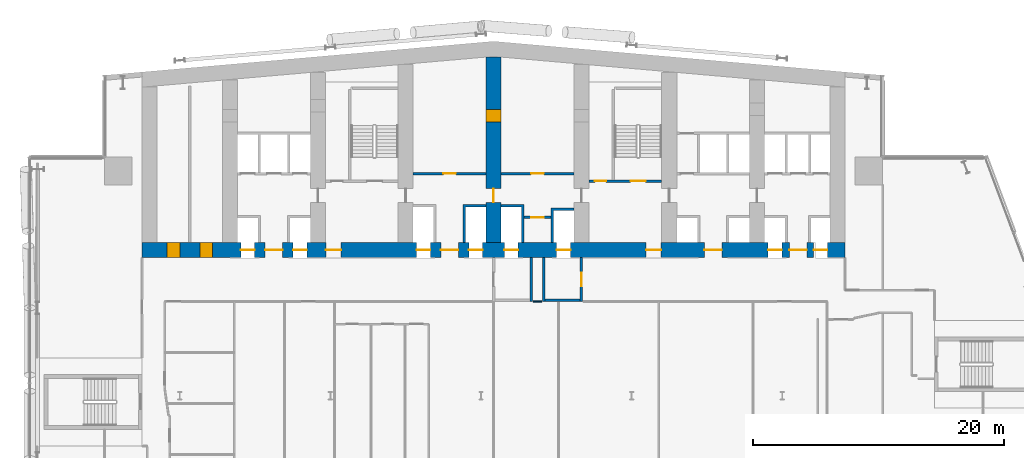
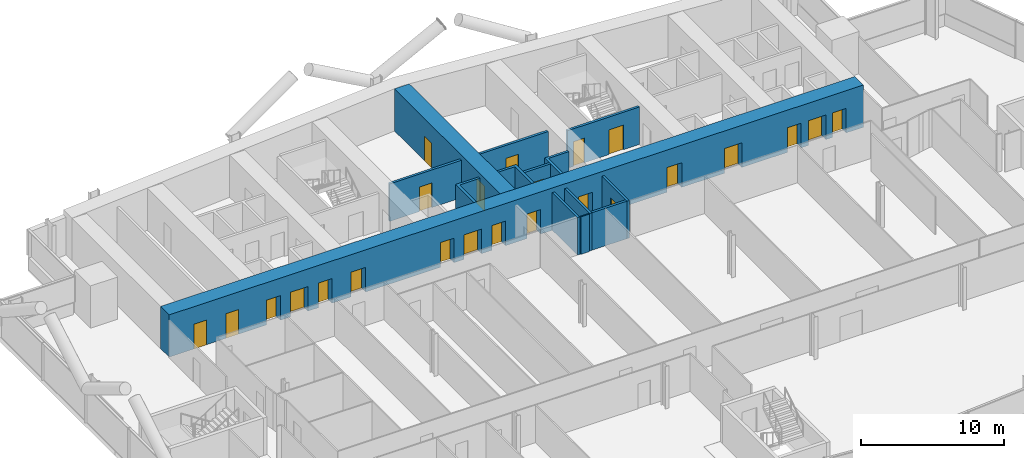
# One storey, part 17 of 27: 24 doors, 14 walls, 24 openings.
"""IFC4 building model written with IfcOpenShell, lengths in metres."""

from ifc_helpers import new_model, si_unit, direction, frame, frame_2d, origin, place, context, subcontext, project, spatial, polyline, rectangle, outline, extrude, material, layer, layer_set, type_object, element, fill, save


model = new_model("IFC4")

# Units and contexts
model_context = context("Model", 3, precision=1e-05, world=origin(), true_north=direction((0.0, 1.0)))
body_context = subcontext(model_context, "Body", "Model", "MODEL_VIEW")
ifc_project = project(units=[si_unit("LENGTHUNIT", "METRE"), si_unit("AREAUNIT", "SQUARE_METRE"), si_unit("VOLUMEUNIT", "CUBIC_METRE"), si_unit("PLANEANGLEUNIT", "RADIAN"), si_unit("MASSUNIT", "GRAM", prefix="KILO")], contexts=[model_context])

# Site, building, storey
site_placement = place(None, origin())
site = spatial("IfcSite", under=ifc_project, at=site_placement, CompositionType="ELEMENT")
building_placement = place(site_placement, origin())
building = spatial("IfcBuilding", under=site, at=building_placement, Name="Wharfspan Tower", CompositionType="ELEMENT")
storey_placement = place(building_placement, frame((0.0, 0.0, 45.100098)))
storey = spatial("IfcBuildingStorey", under=building, at=storey_placement, Name="L07", CompositionType="ELEMENT", Elevation=45.100098)

# Wall
ifc_material_1 = material(Name="Gypsum board on steel studs", Category="steel")
ifc_layer_1 = layer(ifc_material_1, 0.100098)
ifc_layer_set_1 = layer_set([ifc_layer_1], Name="Gypsum board on steel studs")
wall_type_1 = type_object("IfcWallType", Name="Compartment wall 100 EI 60", PredefinedType="PARTITIONING", material=ifc_layer_set_1)
wall_1_placement = place(storey_placement, frame((40.149902, 30.5, 0.0), z_axis=(0.0, 0.0, 1.0), x_axis=(1.0, 0.0, 0.0)))
element("IfcWall", 1, at=wall_1_placement, inside=storey, type_object=wall_type_1, Name="Partition L07.w014 (2)", PredefinedType="PARTITIONING", context=body_context, shape_type="SweptSolid", body=[
    extrude(rectangle(XDim=0.700195, YDim=0.100098, at=frame_2d((0.350098, 0.0))), origin(), (0.0, 0.0, 1.0), 3.199951),
])

# Wall, opening, door
ifc_material_2 = material(Name="Calcium silicate masonry", Category="masonry")
ifc_layer_2 = layer(ifc_material_2, 0.199951)
ifc_layer_set_2 = layer_set([ifc_layer_2], Name="Calcium silicate masonry")
wall_type_2 = type_object("IfcWallType", Name="Core room wall 200", PredefinedType="PARTITIONING", material=ifc_layer_set_2)
wall_2_placement = place(storey_placement, frame((39.43335, 37.199951, 0.0), z_axis=(0.0, 0.0, 1.0), x_axis=(1.0, 0.0, 0.0)))
wall_2 = element("IfcWall", 2, at=wall_2_placement, inside=storey, type_object=wall_type_2, Name="sw:L07:FR4.2", PredefinedType="PARTITIONING", context=body_context, shape_type="SweptSolid", body=[
    extrude(rectangle(XDim=2.133301, YDim=0.199951, at=frame_2d((1.06665, 0.0))), origin(), (0.0, 0.0, 1.0), 3.199951),
])
opening_1_placement = place(wall_2_placement, frame((0.56665, 0.0, 0.0)))
opening_1 = element("IfcOpeningElement", 3, at=opening_1_placement, cuts=wall_2, Name="Opening CD07.4H2", PredefinedType="OPENING", context=body_context, shape_type="SweptSolid", body=[
    extrude(rectangle(XDim=1.0, YDim=2.100098, at=frame_2d((0.5, 1.050049))), frame((0.0, 0.109863, 0.0), z_axis=(0.0, -1.0, 0.0), x_axis=(1.0, 0.0, 0.0)), (0.0, 0.0, 1.0), 0.219971),
])
ifc_material_3 = material(Name="Steel door leaf", Category="steel")
door_type_1 = type_object("IfcDoorType", Name="Core room door 1000x2100", OperationType="SINGLE_SWING_LEFT", PredefinedType="DOOR", material=ifc_material_3)
door_1_placement = place(opening_1_placement, origin())
door_1 = element("IfcDoor", 4, at=door_1_placement, inside=storey, type_object=door_type_1, Name="d:L07:4:fh4.2", OperationType="SINGLE_SWING_RIGHT", OverallHeight=2.100098, OverallWidth=1.0, PredefinedType="DOOR", context=body_context, shape_type="SweptSolid", body=[
    extrude(rectangle(XDim=1.0, YDim=2.100098, at=frame_2d((0.5, 1.050049))), frame((0.0, 0.024902, 0.0), z_axis=(0.0, -1.0, 0.0), x_axis=(1.0, 0.0, 0.0)), (0.0, 0.0, 1.0), 0.050049),
])
fill(opening_1, door_1)

# Wall, openings, doors
ifc_material_4 = material(Name="Concrete C70/85", Category="concrete")
ifc_layer_3 = layer(ifc_material_4, 1.199951)
ifc_layer_set_3 = layer_set([ifc_layer_3], Name="Concrete C70/85")
wall_type_3 = type_object("IfcWallType", Name="Core wall 1200 C70/85", PredefinedType="SHEAR", material=ifc_layer_set_3)
wall_3_placement = place(storey_placement, frame((9.0, 34.600098, 0.0), z_axis=(0.0, 0.0, 1.0), x_axis=(1.0, 0.0, 0.0)))
wall_3 = element("IfcWall", 5, at=wall_3_placement, inside=storey, type_object=wall_type_3, Name="Core front wall L07", PredefinedType="SHEAR", context=body_context, shape_type="SweptSolid", body=[
    extrude(rectangle(XDim=56.0, YDim=1.199951, at=frame_2d((28.0, 0.0))), origin(), (0.0, 0.0, 1.0), 3.599854),
])
opening_2_placement = place(wall_3_placement, frame((2.0, 0.0, 0.0)))
opening_2 = element("IfcOpeningElement", 6, at=opening_2_placement, cuts=wall_3, Name="Opening CD07.01", PredefinedType="OPENING", context=body_context, shape_type="SweptSolid", body=[
    extrude(rectangle(XDim=1.0, YDim=2.100098, at=frame_2d((0.5, 1.050049))), frame((0.0, 0.609863, 0.0), z_axis=(0.0, -1.0, 0.0), x_axis=(1.0, 0.0, 0.0)), (0.0, 0.0, 1.0), 1.219971),
])
opening_3_placement = place(wall_3_placement, frame((4.600098, 0.0, 0.0)))
opening_3 = element("IfcOpeningElement", 7, at=opening_3_placement, cuts=wall_3, Name="Opening CD07.02", PredefinedType="OPENING", context=body_context, shape_type="SweptSolid", body=[
    extrude(rectangle(XDim=1.0, YDim=2.100098, at=frame_2d((0.5, 1.050049))), frame((0.0, 0.609863, 0.0), z_axis=(0.0, -1.0, 0.0), x_axis=(1.0, 0.0, 0.0)), (0.0, 0.0, 1.0), 1.219971),
])
opening_4_placement = place(wall_3_placement, frame((7.866699, 0.0, 0.0)))
opening_4 = element("IfcOpeningElement", 8, at=opening_4_placement, cuts=wall_3, Name="Opening LD.LA1.L07", PredefinedType="OPENING", context=body_context, shape_type="SweptSolid", body=[
    extrude(rectangle(XDim=1.100098, YDim=2.100098, at=frame_2d((0.550049, 1.050049))), frame((0.0, 0.609863, 0.0), z_axis=(0.0, -1.0, 0.0), x_axis=(1.0, 0.0, 0.0)), (0.0, 0.0, 1.0), 1.219971),
])
opening_5_placement = place(wall_3_placement, frame((12.033203, 0.0, 0.0)))
opening_5 = element("IfcOpeningElement", 9, at=opening_5_placement, cuts=wall_3, Name="Opening LD.LA2.L07", PredefinedType="OPENING", context=body_context, shape_type="SweptSolid", body=[
    extrude(rectangle(XDim=1.100098, YDim=2.100098, at=frame_2d((0.550049, 1.050049))), frame((0.0, 0.609863, 0.0), z_axis=(0.0, -1.0, 0.0), x_axis=(1.0, 0.0, 0.0)), (0.0, 0.0, 1.0), 1.219971),
])
opening_6_placement = place(wall_3_placement, frame((9.800049, 0.0, 0.0)))
opening_6 = element("IfcOpeningElement", 10, at=opening_6_placement, cuts=wall_3, Name="Opening HD07.1", PredefinedType="OPENING", context=body_context, shape_type="SweptSolid", body=[
    extrude(rectangle(XDim=1.399902, YDim=2.100098, at=frame_2d((0.699951, 1.050049))), frame((0.0, 0.609863, 0.0), z_axis=(0.0, -1.0, 0.0), x_axis=(1.0, 0.0, 0.0)), (0.0, 0.0, 1.0), 1.219971),
])
opening_7_placement = place(wall_3_placement, frame((14.649902, 0.0, 0.0)))
opening_7 = element("IfcOpeningElement", 11, at=opening_7_placement, cuts=wall_3, Name="Opening SV2.L07", PredefinedType="OPENING", context=body_context, shape_type="SweptSolid", body=[
    extrude(rectangle(XDim=1.199951, YDim=2.100098, at=frame_2d((0.600098, 1.050049))), frame((0.0, 0.609863, 0.0), z_axis=(0.0, -1.0, 0.0), x_axis=(1.0, 0.0, 0.0)), (0.0, 0.0, 1.0), 1.219971),
])
opening_8_placement = place(wall_3_placement, frame((21.866699, 0.0, 0.0)))
opening_8 = element("IfcOpeningElement", 12, at=opening_8_placement, cuts=wall_3, Name="Opening LD.SL1.L07", PredefinedType="OPENING", context=body_context, shape_type="SweptSolid", body=[
    extrude(rectangle(XDim=1.100098, YDim=2.100098, at=frame_2d((0.550049, 1.050049))), frame((0.0, 0.609863, 0.0), z_axis=(0.0, -1.0, 0.0), x_axis=(1.0, 0.0, 0.0)), (0.0, 0.0, 1.0), 1.219971),
])
opening_9_placement = place(wall_3_placement, frame((26.033203, 0.0, 0.0)))
opening_9 = element("IfcOpeningElement", 13, at=opening_9_placement, cuts=wall_3, Name="Opening LD.SL2.L07", PredefinedType="OPENING", context=body_context, shape_type="SweptSolid", body=[
    extrude(rectangle(XDim=1.100098, YDim=2.100098, at=frame_2d((0.550049, 1.050049))), frame((0.0, 0.609863, 0.0), z_axis=(0.0, -1.0, 0.0), x_axis=(1.0, 0.0, 0.0)), (0.0, 0.0, 1.0), 1.219971),
])
opening_10_placement = place(wall_3_placement, frame((23.800049, 0.0, 0.0)))
opening_10 = element("IfcOpeningElement", 14, at=opening_10_placement, cuts=wall_3, Name="Opening HD07.3", PredefinedType="OPENING", context=body_context, shape_type="SweptSolid", body=[
    extrude(rectangle(XDim=1.399902, YDim=2.100098, at=frame_2d((0.699951, 1.050049))), frame((0.0, 0.609863, 0.0), z_axis=(0.0, -1.0, 0.0), x_axis=(1.0, 0.0, 0.0)), (0.0, 0.0, 1.0), 1.219971),
])
opening_11_placement = place(wall_3_placement, frame((28.866699, 0.0, 0.0)))
opening_11 = element("IfcOpeningElement", 15, at=opening_11_placement, cuts=wall_3, Name="Opening LD.FF1.L07", PredefinedType="OPENING", context=body_context, shape_type="SweptSolid", body=[
    extrude(rectangle(XDim=1.100098, YDim=2.100098, at=frame_2d((0.550049, 1.050049))), frame((0.0, 0.609863, 0.0), z_axis=(0.0, -1.0, 0.0), x_axis=(1.0, 0.0, 0.0)), (0.0, 0.0, 1.0), 1.219971),
])
opening_12_placement = place(wall_3_placement, frame((33.033203, 0.0, 0.0)))
opening_12 = element("IfcOpeningElement", 16, at=opening_12_placement, cuts=wall_3, Name="Opening LD.FF2.L07", PredefinedType="OPENING", context=body_context, shape_type="SweptSolid", body=[
    extrude(rectangle(XDim=1.100098, YDim=2.100098, at=frame_2d((0.550049, 1.050049))), frame((0.0, 0.609863, 0.0), z_axis=(0.0, -1.0, 0.0), x_axis=(1.0, 0.0, 0.0)), (0.0, 0.0, 1.0), 1.219971),
])
opening_13_placement = place(wall_3_placement, frame((40.149902, 0.0, 0.0)))
opening_13 = element("IfcOpeningElement", 17, at=opening_13_placement, cuts=wall_3, Name="Opening SV5.L07", PredefinedType="OPENING", context=body_context, shape_type="SweptSolid", body=[
    extrude(rectangle(XDim=1.199951, YDim=2.100098, at=frame_2d((0.600098, 1.050049))), frame((0.0, 0.609863, 0.0), z_axis=(0.0, -1.0, 0.0), x_axis=(1.0, 0.0, 0.0)), (0.0, 0.0, 1.0), 1.219971),
])
opening_14_placement = place(wall_3_placement, frame((44.800049, 0.0, 0.0)))
opening_14 = element("IfcOpeningElement", 18, at=opening_14_placement, cuts=wall_3, Name="Opening HD07.6", PredefinedType="OPENING", context=body_context, shape_type="SweptSolid", body=[
    extrude(rectangle(XDim=1.399902, YDim=2.100098, at=frame_2d((0.699951, 1.050049))), frame((0.0, 0.609863, 0.0), z_axis=(0.0, -1.0, 0.0), x_axis=(1.0, 0.0, 0.0)), (0.0, 0.0, 1.0), 1.219971),
])
opening_15_placement = place(wall_3_placement, frame((49.866699, 0.0, 0.0)))
opening_15 = element("IfcOpeningElement", 19, at=opening_15_placement, cuts=wall_3, Name="Opening LD.LA6.L07", PredefinedType="OPENING", context=body_context, shape_type="SweptSolid", body=[
    extrude(rectangle(XDim=1.100098, YDim=2.100098, at=frame_2d((0.550049, 1.050049))), frame((0.0, 0.609863, 0.0), z_axis=(0.0, -1.0, 0.0), x_axis=(1.0, 0.0, 0.0)), (0.0, 0.0, 1.0), 1.219971),
])
opening_16_placement = place(wall_3_placement, frame((53.5, 0.0, 0.0)))
opening_16 = element("IfcOpeningElement", 20, at=opening_16_placement, cuts=wall_3, Name="Opening LD.LA7.L07", PredefinedType="OPENING", context=body_context, shape_type="SweptSolid", body=[
    extrude(rectangle(XDim=1.100098, YDim=2.100098, at=frame_2d((0.550049, 1.050049))), frame((0.0, 0.609863, 0.0), z_axis=(0.0, -1.0, 0.0), x_axis=(1.0, 0.0, 0.0)), (0.0, 0.0, 1.0), 1.219971),
])
opening_17_placement = place(wall_3_placement, frame((51.56665, 0.0, 0.0)))
opening_17 = element("IfcOpeningElement", 21, at=opening_17_placement, cuts=wall_3, Name="Opening HD07.7", PredefinedType="OPENING", context=body_context, shape_type="SweptSolid", body=[
    extrude(rectangle(XDim=1.399902, YDim=2.100098, at=frame_2d((0.699951, 1.050049))), frame((0.0, 0.609863, 0.0), z_axis=(0.0, -1.0, 0.0), x_axis=(1.0, 0.0, 0.0)), (0.0, 0.0, 1.0), 1.219971),
])
door_2_placement = place(opening_2_placement, origin())
door_2 = element("IfcDoor", 22, at=door_2_placement, inside=storey, type_object=door_type_1, Name="d:L07:0:rf", OperationType="SINGLE_SWING_LEFT", OverallHeight=2.100098, OverallWidth=1.0, PredefinedType="DOOR", context=body_context, shape_type="SweptSolid", body=[
    extrude(rectangle(XDim=1.0, YDim=2.100098, at=frame_2d((0.5, 1.050049))), frame((0.0, 0.599609, 0.0), z_axis=(0.0, -1.0, 0.0), x_axis=(1.0, 0.0, 0.0)), (0.0, 0.0, 1.0), 1.199463),
])
fill(opening_2, door_2)
door_3_placement = place(opening_3_placement, origin())
door_3 = element("IfcDoor", 23, at=door_3_placement, inside=storey, type_object=door_type_1, Name="d:L07:0:rr", OperationType="SINGLE_SWING_RIGHT", OverallHeight=2.100098, OverallWidth=1.0, PredefinedType="DOOR", context=body_context, shape_type="SweptSolid", body=[
    extrude(rectangle(XDim=1.0, YDim=2.100098, at=frame_2d((0.5, 1.050049))), frame((0.0, 0.599609, 0.0), z_axis=(0.0, -1.0, 0.0), x_axis=(1.0, 0.0, 0.0)), (0.0, 0.0, 1.0), 1.199463),
])
fill(opening_3, door_3)
door_type_2 = type_object("IfcDoorType", Name="Hall entry door 1400x2100", OperationType="DOUBLE_DOOR_SINGLE_SWING", PredefinedType="DOOR", material=ifc_material_3)
door_4_placement = place(opening_6_placement, origin())
door_4 = element("IfcDoor", 24, at=door_4_placement, inside=storey, type_object=door_type_2, Name="d:L07:1:hd1", OperationType="DOUBLE_DOOR_SINGLE_SWING", OverallHeight=2.100098, OverallWidth=1.399902, PredefinedType="DOOR", context=body_context, shape_type="SweptSolid", body=[
    extrude(rectangle(XDim=1.399902, YDim=2.100098, at=frame_2d((0.699951, 1.050049))), frame((0.0, 0.024902, 0.0), z_axis=(0.0, -1.0, 0.0), x_axis=(1.0, 0.0, 0.0)), (0.0, 0.0, 1.0), 0.050049),
])
fill(opening_6, door_4)
door_5_placement = place(opening_10_placement, origin())
door_5 = element("IfcDoor", 25, at=door_5_placement, inside=storey, type_object=door_type_2, Name="d:L07:3:hd3", OperationType="DOUBLE_DOOR_SINGLE_SWING", OverallHeight=2.100098, OverallWidth=1.399902, PredefinedType="DOOR", context=body_context, shape_type="SweptSolid", body=[
    extrude(rectangle(XDim=1.399902, YDim=2.100098, at=frame_2d((0.699951, 1.050049))), frame((0.0, 0.024902, 0.0), z_axis=(0.0, -1.0, 0.0), x_axis=(1.0, 0.0, 0.0)), (0.0, 0.0, 1.0), 0.050049),
])
fill(opening_10, door_5)
door_6_placement = place(opening_14_placement, origin())
door_6 = element("IfcDoor", 26, at=door_6_placement, inside=storey, type_object=door_type_2, Name="d:L07:6:hd6", OperationType="DOUBLE_DOOR_SINGLE_SWING", OverallHeight=2.100098, OverallWidth=1.399902, PredefinedType="DOOR", context=body_context, shape_type="SweptSolid", body=[
    extrude(rectangle(XDim=1.399902, YDim=2.100098, at=frame_2d((0.699951, 1.050049))), frame((0.0, 0.024902, 0.0), z_axis=(0.0, -1.0, 0.0), x_axis=(1.0, 0.0, 0.0)), (0.0, 0.0, 1.0), 0.050049),
])
fill(opening_14, door_6)
door_7_placement = place(opening_17_placement, origin())
door_7 = element("IfcDoor", 27, at=door_7_placement, inside=storey, type_object=door_type_2, Name="d:L07:7:hd7", OperationType="DOUBLE_DOOR_SINGLE_SWING", OverallHeight=2.100098, OverallWidth=1.399902, PredefinedType="DOOR", context=body_context, shape_type="SweptSolid", body=[
    extrude(rectangle(XDim=1.399902, YDim=2.100098, at=frame_2d((0.699951, 1.050049))), frame((0.0, 0.024902, 0.0), z_axis=(0.0, -1.0, 0.0), x_axis=(1.0, 0.0, 0.0)), (0.0, 0.0, 1.0), 0.050049),
])
fill(opening_17, door_7)
ifc_material_5 = material(Name="Stainless steel", Category="steel")
door_type_3 = type_object("IfcDoorType", Name="Lift landing door 1100x2100", OperationType="DOUBLE_DOOR_SLIDING", PredefinedType="DOOR", material=ifc_material_5)
door_8_placement = place(opening_4_placement, origin())
door_8 = element("IfcDoor", 28, at=door_8_placement, inside=storey, type_object=door_type_3, Name="Landing door LA1 L07", OperationType="DOUBLE_DOOR_SLIDING", OverallHeight=2.100098, OverallWidth=1.100098, PredefinedType="DOOR", context=body_context, shape_type="SweptSolid", body=[
    extrude(rectangle(XDim=1.100098, YDim=2.100098, at=frame_2d((0.550049, 1.050049))), frame((0.0, 0.024902, 0.0), z_axis=(0.0, -1.0, 0.0), x_axis=(1.0, 0.0, 0.0)), (0.0, 0.0, 1.0), 0.050049),
])
fill(opening_4, door_8)
door_9_placement = place(opening_5_placement, origin())
door_9 = element("IfcDoor", 29, at=door_9_placement, inside=storey, type_object=door_type_3, Name="Landing door LA2 L07", OperationType="DOUBLE_DOOR_SLIDING", OverallHeight=2.100098, OverallWidth=1.100098, PredefinedType="DOOR", context=body_context, shape_type="SweptSolid", body=[
    extrude(rectangle(XDim=1.100098, YDim=2.100098, at=frame_2d((0.550049, 1.050049))), frame((0.0, 0.024902, 0.0), z_axis=(0.0, -1.0, 0.0), x_axis=(1.0, 0.0, 0.0)), (0.0, 0.0, 1.0), 0.050049),
])
fill(opening_5, door_9)
door_10_placement = place(opening_8_placement, origin())
door_10 = element("IfcDoor", 30, at=door_10_placement, inside=storey, type_object=door_type_3, Name="Landing door SL1 L07", OperationType="DOUBLE_DOOR_SLIDING", OverallHeight=2.100098, OverallWidth=1.100098, PredefinedType="DOOR", context=body_context, shape_type="SweptSolid", body=[
    extrude(rectangle(XDim=1.100098, YDim=2.100098, at=frame_2d((0.550049, 1.050049))), frame((0.0, 0.024902, 0.0), z_axis=(0.0, -1.0, 0.0), x_axis=(1.0, 0.0, 0.0)), (0.0, 0.0, 1.0), 0.050049),
])
fill(opening_8, door_10)
door_11_placement = place(opening_9_placement, origin())
door_11 = element("IfcDoor", 31, at=door_11_placement, inside=storey, type_object=door_type_3, Name="Landing door SL2 L07", OperationType="DOUBLE_DOOR_SLIDING", OverallHeight=2.100098, OverallWidth=1.100098, PredefinedType="DOOR", context=body_context, shape_type="SweptSolid", body=[
    extrude(rectangle(XDim=1.100098, YDim=2.100098, at=frame_2d((0.550049, 1.050049))), frame((0.0, 0.024902, 0.0), z_axis=(0.0, -1.0, 0.0), x_axis=(1.0, 0.0, 0.0)), (0.0, 0.0, 1.0), 0.050049),
])
fill(opening_9, door_11)
door_12_placement = place(opening_11_placement, origin())
door_12 = element("IfcDoor", 32, at=door_12_placement, inside=storey, type_object=door_type_3, Name="Landing door FF1 L07", OperationType="DOUBLE_DOOR_SLIDING", OverallHeight=2.100098, OverallWidth=1.100098, PredefinedType="DOOR", context=body_context, shape_type="SweptSolid", body=[
    extrude(rectangle(XDim=1.100098, YDim=2.100098, at=frame_2d((0.550049, 1.050049))), frame((0.0, 0.024902, 0.0), z_axis=(0.0, -1.0, 0.0), x_axis=(1.0, 0.0, 0.0)), (0.0, 0.0, 1.0), 0.050049),
])
fill(opening_11, door_12)
door_13_placement = place(opening_12_placement, origin())
door_13 = element("IfcDoor", 33, at=door_13_placement, inside=storey, type_object=door_type_3, Name="Landing door FF2 L07", OperationType="DOUBLE_DOOR_SLIDING", OverallHeight=2.100098, OverallWidth=1.100098, PredefinedType="DOOR", context=body_context, shape_type="SweptSolid", body=[
    extrude(rectangle(XDim=1.100098, YDim=2.100098, at=frame_2d((0.550049, 1.050049))), frame((0.0, 0.024902, 0.0), z_axis=(0.0, -1.0, 0.0), x_axis=(1.0, 0.0, 0.0)), (0.0, 0.0, 1.0), 0.050049),
])
fill(opening_12, door_13)
door_14_placement = place(opening_15_placement, origin())
door_14 = element("IfcDoor", 34, at=door_14_placement, inside=storey, type_object=door_type_3, Name="Landing door LA6 L07", OperationType="DOUBLE_DOOR_SLIDING", OverallHeight=2.100098, OverallWidth=1.100098, PredefinedType="DOOR", context=body_context, shape_type="SweptSolid", body=[
    extrude(rectangle(XDim=1.100098, YDim=2.100098, at=frame_2d((0.550049, 1.050049))), frame((0.0, 0.024902, 0.0), z_axis=(0.0, -1.0, 0.0), x_axis=(1.0, 0.0, 0.0)), (0.0, 0.0, 1.0), 0.050049),
])
fill(opening_15, door_14)
door_15_placement = place(opening_16_placement, origin())
door_15 = element("IfcDoor", 35, at=door_15_placement, inside=storey, type_object=door_type_3, Name="Landing door LA7 L07", OperationType="DOUBLE_DOOR_SLIDING", OverallHeight=2.100098, OverallWidth=1.100098, PredefinedType="DOOR", context=body_context, shape_type="SweptSolid", body=[
    extrude(rectangle(XDim=1.100098, YDim=2.100098, at=frame_2d((0.550049, 1.050049))), frame((0.0, 0.024902, 0.0), z_axis=(0.0, -1.0, 0.0), x_axis=(1.0, 0.0, 0.0)), (0.0, 0.0, 1.0), 0.050049),
])
fill(opening_16, door_15)
door_type_4 = type_object("IfcDoorType", Name="Stair door 1200x2100", OperationType="SINGLE_SWING_LEFT", PredefinedType="DOOR", material=ifc_material_3)
door_16_placement = place(opening_7_placement, origin())
door_16 = element("IfcDoor", 36, at=door_16_placement, inside=storey, type_object=door_type_4, Name="vd:L07:2", OperationType="SINGLE_SWING_LEFT", OverallHeight=2.100098, OverallWidth=1.199951, PredefinedType="DOOR", context=body_context, shape_type="SweptSolid", body=[
    extrude(rectangle(XDim=1.199951, YDim=2.100098, at=frame_2d((0.600098, 1.050049))), frame((0.0, 0.024902, 0.0), z_axis=(0.0, -1.0, 0.0), x_axis=(1.0, 0.0, 0.0)), (0.0, 0.0, 1.0), 0.050049),
])
fill(opening_7, door_16)
door_17_placement = place(opening_13_placement, origin())
door_17 = element("IfcDoor", 37, at=door_17_placement, inside=storey, type_object=door_type_4, Name="vd:L07:5", OperationType="SINGLE_SWING_LEFT", OverallHeight=2.100098, OverallWidth=1.199951, PredefinedType="DOOR", context=body_context, shape_type="SweptSolid", body=[
    extrude(rectangle(XDim=1.199951, YDim=2.100098, at=frame_2d((0.600098, 1.050049))), frame((0.0, 0.024902, 0.0), z_axis=(0.0, -1.0, 0.0), x_axis=(1.0, 0.0, 0.0)), (0.0, 0.0, 1.0), 0.050049),
])
fill(opening_13, door_17)

wall_4_placement = place(storey_placement, frame((37.0, 35.199951, 0.0), z_axis=(0.0, 0.0, 1.0), x_axis=(0.0, 1.0, 0.0)))
wall_4 = element("IfcWall", 38, at=wall_4_placement, inside=storey, type_object=wall_type_3, Name="Core cross wall X4 L07", PredefinedType="SHEAR", context=body_context, shape_type="SweptSolid", body=[
    extrude(rectangle(XDim=14.780029, YDim=1.199951, at=frame_2d((7.390137, 0.0))), origin(), (0.0, 0.0, 1.0), 3.599854),
])
opening_18_placement = place(wall_4_placement, frame((3.199951, 0.0, 0.0)))
opening_18 = element("IfcOpeningElement", 39, at=opening_18_placement, cuts=wall_4, Name="Opening CC07.4", PredefinedType="OPENING", context=body_context, shape_type="SweptSolid", body=[
    extrude(rectangle(XDim=1.100098, YDim=2.100098, at=frame_2d((0.550049, 1.050049))), frame((0.0, 0.609863, 0.0), z_axis=(0.0, -1.0, 0.0), x_axis=(1.0, 0.0, 0.0)), (0.0, 0.0, 1.0), 1.219971),
])
opening_19_placement = place(wall_4_placement, frame((9.600098, 0.0, 0.0)))
opening_19 = element("IfcOpeningElement", 40, at=opening_19_placement, cuts=wall_4, Name="Opening CR07.4", PredefinedType="OPENING", context=body_context, shape_type="SweptSolid", body=[
    extrude(rectangle(XDim=1.0, YDim=2.100098, at=frame_2d((0.5, 1.050049))), frame((0.0, 0.609863, 0.0), z_axis=(0.0, -1.0, 0.0), x_axis=(1.0, 0.0, 0.0)), (0.0, 0.0, 1.0), 1.219971),
])
door_type_5 = type_object("IfcDoorType", Name="Core corridor door 1100x2100", OperationType="SINGLE_SWING_LEFT", PredefinedType="DOOR", material=ifc_material_3)
door_18_placement = place(opening_18_placement, origin())
door_18 = element("IfcDoor", 41, at=door_18_placement, inside=storey, type_object=door_type_5, Name="xd:L07:4", OperationType="SINGLE_SWING_RIGHT", OverallHeight=2.100098, OverallWidth=1.100098, PredefinedType="DOOR", context=body_context, shape_type="SweptSolid", body=[
    extrude(rectangle(XDim=1.100098, YDim=2.100098, at=frame_2d((0.550049, 1.050049))), frame((0.0, 0.024902, 0.0), z_axis=(0.0, -1.0, 0.0), x_axis=(1.0, 0.0, 0.0)), (0.0, 0.0, 1.0), 0.050049),
])
fill(opening_18, door_18)
door_19_placement = place(opening_19_placement, origin())
door_19 = element("IfcDoor", 42, at=door_19_placement, inside=storey, type_object=door_type_1, Name="xr:L07:4", OperationType="SINGLE_SWING_RIGHT", OverallHeight=2.100098, OverallWidth=1.0, PredefinedType="DOOR", context=body_context, shape_type="SweptSolid", body=[
    extrude(rectangle(XDim=1.0, YDim=2.100098, at=frame_2d((0.5, 1.050049))), frame((0.0, 0.599609, 0.0), z_axis=(0.0, -1.0, 0.0), x_axis=(1.0, 0.0, 0.0)), (0.0, 0.0, 1.0), 1.199463),
])
fill(opening_19, door_19)

# Wall, opening, door
ifc_material_6 = material(Name="Concrete C30/37", Category="concrete")
ifc_layer_4 = layer(ifc_material_6, 0.199951)
ifc_layer_set_4 = layer_set([ifc_layer_4], Name="Concrete C30/37")
wall_type_4 = type_object("IfcWallType", Name="Lift shaft wall 200", PredefinedType="PARTITIONING", material=ifc_layer_set_4)
wall_5_placement = place(storey_placement, frame((30.600098, 40.699951, 0.0), z_axis=(0.0, 0.0, 1.0), x_axis=(1.0, 0.0, 0.0)))
wall_5 = element("IfcWall", 43, at=wall_5_placement, inside=storey, type_object=wall_type_4, Name="sw:L07:RF3", PredefinedType="PARTITIONING", context=body_context, shape_type="SweptSolid", body=[
    extrude(rectangle(XDim=5.799805, YDim=0.199951, at=frame_2d((2.899902, 0.0))), origin(), (0.0, 0.0, 1.0), 3.199951),
])
opening_20_placement = place(wall_5_placement, frame((2.399902, 0.0, 0.0)))
opening_20 = element("IfcOpeningElement", 44, at=opening_20_placement, cuts=wall_5, Name="Opening CD07.3S", PredefinedType="OPENING", context=body_context, shape_type="SweptSolid", body=[
    extrude(rectangle(XDim=1.0, YDim=2.100098, at=frame_2d((0.5, 1.050049))), frame((0.0, 0.109863, 0.0), z_axis=(0.0, -1.0, 0.0), x_axis=(1.0, 0.0, 0.0)), (0.0, 0.0, 1.0), 0.219971),
])
door_20_placement = place(opening_20_placement, origin())
door_20 = element("IfcDoor", 45, at=door_20_placement, inside=storey, type_object=door_type_1, Name="d:L07:3:sf", OperationType="SINGLE_SWING_LEFT", OverallHeight=2.100098, OverallWidth=1.0, PredefinedType="DOOR", context=body_context, shape_type="SweptSolid", body=[
    extrude(rectangle(XDim=1.0, YDim=2.100098, at=frame_2d((0.5, 1.050049))), frame((0.0, 0.024902, 0.0), z_axis=(0.0, -1.0, 0.0), x_axis=(1.0, 0.0, 0.0)), (0.0, 0.0, 1.0), 0.050049),
])
fill(opening_20, door_20)

# Wall
wall_6_placement = place(storey_placement, frame((0.0, 0.0, -0.000244)))
element("IfcWall", 46, at=wall_6_placement, inside=storey, type_object=wall_type_4, Name="sw:L07:FM3.1", PredefinedType="PARTITIONING", context=body_context, shape_type="SweptSolid", body=[
    extrude(outline(polyline([(34.56665, 38.25), (34.766602, 38.25), (36.399902, 38.25), (36.399902, 38.050049), (34.766602, 38.050049), (34.766602, 35.199951), (34.56665, 35.199951), (34.56665, 38.25)])), origin(), (0.0, 0.0, 1.0), 3.200195),
])

# Wall, opening, door
wall_7_placement = place(storey_placement, frame((37.600098, 40.699951, 0.0), z_axis=(0.0, 0.0, 1.0), x_axis=(1.0, 0.0, 0.0)))
wall_7 = element("IfcWall", 47, at=wall_7_placement, inside=storey, type_object=wall_type_4, Name="sw:L07:RF4", PredefinedType="PARTITIONING", context=body_context, shape_type="SweptSolid", body=[
    extrude(rectangle(XDim=5.799805, YDim=0.199951, at=frame_2d((2.899902, 0.0))), origin(), (0.0, 0.0, 1.0), 3.199951),
])
opening_21_placement = place(wall_7_placement, frame((2.399902, 0.0, 0.0)))
opening_21 = element("IfcOpeningElement", 48, at=opening_21_placement, cuts=wall_7, Name="Opening CD07.4S", PredefinedType="OPENING", context=body_context, shape_type="SweptSolid", body=[
    extrude(rectangle(XDim=1.0, YDim=2.100098, at=frame_2d((0.5, 1.050049))), frame((0.0, 0.109863, 0.0), z_axis=(0.0, -1.0, 0.0), x_axis=(1.0, 0.0, 0.0)), (0.0, 0.0, 1.0), 0.219971),
])
door_21_placement = place(opening_21_placement, origin())
door_21 = element("IfcDoor", 49, at=door_21_placement, inside=storey, type_object=door_type_1, Name="d:L07:4:sf", OperationType="SINGLE_SWING_LEFT", OverallHeight=2.100098, OverallWidth=1.0, PredefinedType="DOOR", context=body_context, shape_type="SweptSolid", body=[
    extrude(rectangle(XDim=1.0, YDim=2.100098, at=frame_2d((0.5, 1.050049))), frame((0.0, 0.024902, 0.0), z_axis=(0.0, -1.0, 0.0), x_axis=(1.0, 0.0, 0.0)), (0.0, 0.0, 1.0), 0.050049),
])
fill(opening_21, door_21)

# Walls
wall_8_placement = place(storey_placement, frame((0.0, 0.0, -0.000244)))
element("IfcWall", 50, at=wall_8_placement, inside=storey, type_object=wall_type_4, Name="sw:L07:FM4.0", PredefinedType="PARTITIONING", context=body_context, shape_type="SweptSolid", body=[
    extrude(outline(polyline([(41.56665, 37.949951), (41.766602, 37.949951), (43.399902, 37.949951), (43.399902, 37.75), (41.766602, 37.75), (41.766602, 35.199951), (41.56665, 35.199951), (41.56665, 37.949951)])), origin(), (0.0, 0.0, 1.0), 3.200195),
])
wall_9_placement = place(storey_placement, frame((0.0, 0.0, -0.000244)))
element("IfcWall", 51, at=wall_9_placement, inside=storey, type_object=wall_type_4, Name="sw:L07:FM4.1", PredefinedType="PARTITIONING", context=body_context, shape_type="SweptSolid", body=[
    extrude(outline(polyline([(39.233398, 38.050049), (37.600098, 38.050049), (37.600098, 38.25), (39.233398, 38.25), (39.43335, 38.25), (39.43335, 35.199951), (39.233398, 35.199951), (39.233398, 38.050049)])), origin(), (0.0, 0.0, 1.0), 3.200195),
])
ifc_layer_5 = layer(ifc_material_6, 0.199951)
ifc_layer_set_5 = layer_set([ifc_layer_5], Name="Concrete C30/37")
wall_type_5 = type_object("IfcWallType", Name="Lobby wall 200", PredefinedType="PARTITIONING", material=ifc_layer_set_5)
for number, where, z_axis, x_axis, name in (
    (52, (40.0, 30.5, 0.0), (0.0, 0.0, 1.0), (0.0, 1.0, 0.0), "sw:L07:FLFF1E"),
    (53, (41.0, 30.5, 0.0), (0.0, 0.0, 1.0), (0.0, 1.0, 0.0), "sw:L07:FLFF2W"),
):
    element("IfcWall", number, at=place(storey_placement, frame(where, z_axis=z_axis, x_axis=x_axis)), inside=storey, type_object=wall_type_5, Name=name, PredefinedType="PARTITIONING", context=body_context, shape_type="SweptSolid", body=[
        extrude(rectangle(XDim=3.5, YDim=0.199951, at=frame_2d((1.75, 0.0))), origin(), (0.0, 0.0, 1.0), 3.199951),
    ])

# Wall, opening, door
wall_10_placement = place(storey_placement, frame((44.0, 30.5, 0.0), z_axis=(0.0, 0.0, 1.0), x_axis=(0.0, 1.0, 0.0)))
wall_10 = element("IfcWall", 54, at=wall_10_placement, inside=storey, type_object=wall_type_5, Name="sw:L07:FLFF2E", PredefinedType="PARTITIONING", context=body_context, shape_type="SweptSolid", body=[
    extrude(rectangle(XDim=3.5, YDim=0.199951, at=frame_2d((1.75, 0.0))), origin(), (0.0, 0.0, 1.0), 3.199951),
])
opening_22_placement = place(wall_10_placement, frame((1.199951, 0.0, 0.0)))
opening_22 = element("IfcOpeningElement", 55, at=opening_22_placement, cuts=wall_10, Name="Opening FL.FF2.L07", PredefinedType="OPENING", context=body_context, shape_type="SweptSolid", body=[
    extrude(rectangle(XDim=1.100098, YDim=2.100098, at=frame_2d((0.550049, 1.050049))), frame((0.0, 0.109863, 0.0), z_axis=(0.0, -1.0, 0.0), x_axis=(1.0, 0.0, 0.0)), (0.0, 0.0, 1.0), 0.219971),
])
door_type_6 = type_object("IfcDoorType", Name="Firefighting lobby door 1100x2100", OperationType="SINGLE_SWING_LEFT", PredefinedType="DOOR", material=ifc_material_3)
door_22_placement = place(opening_22_placement, origin())
door_22 = element("IfcDoor", 56, at=door_22_placement, inside=storey, type_object=door_type_6, Name="fd:L07:FF2", OperationType="SINGLE_SWING_LEFT", OverallHeight=2.100098, OverallWidth=1.100098, PredefinedType="DOOR", context=body_context, shape_type="SweptSolid", body=[
    extrude(rectangle(XDim=1.100098, YDim=2.100098, at=frame_2d((0.550049, 1.050049))), frame((0.0, 0.024902, 0.0), z_axis=(0.0, -1.0, 0.0), x_axis=(1.0, 0.0, 0.0)), (0.0, 0.0, 1.0), 0.050049),
])
fill(opening_22, door_22)

# Wall
wall_11_placement = place(storey_placement, frame((41.100098, 30.600098, 0.0), z_axis=(0.0, 0.0, 1.0), x_axis=(1.0, 0.0, 0.0)))
element("IfcWall", 57, at=wall_11_placement, inside=storey, type_object=wall_type_5, Name="sw:L07:FLFF2F", PredefinedType="PARTITIONING", context=body_context, shape_type="SweptSolid", body=[
    extrude(rectangle(XDim=2.799805, YDim=0.199951, at=frame_2d((1.399902, 0.0))), origin(), (0.0, 0.0, 1.0), 3.199951),
])

# Wall, openings, doors
ifc_material_7 = material(Name="Concrete C40/50", Category="concrete")
ifc_layer_6 = layer(ifc_material_7, 0.199951)
ifc_layer_set_6 = layer_set([ifc_layer_6], Name="Concrete C40/50")
wall_type_6 = type_object("IfcWallType", Name="Stair shaft wall 200", PredefinedType="SHEAR", material=ifc_layer_set_6)
wall_12_placement = place(storey_placement, frame((44.600098, 40.100098, 0.0), z_axis=(0.0, 0.0, 1.0), x_axis=(1.0, 0.0, 0.0)))
wall_12 = element("IfcWall", 58, at=wall_12_placement, inside=storey, type_object=wall_type_6, Name="ST2 stair enclosure wall L07", PredefinedType="SHEAR", context=body_context, shape_type="SweptSolid", body=[
    extrude(rectangle(XDim=5.799805, YDim=0.199951, at=frame_2d((2.899902, 0.0))), origin(), (0.0, 0.0, 1.0), 3.199951),
])
opening_23_placement = place(wall_12_placement, frame((3.324951, 0.0, 0.0)))
opening_23 = element("IfcOpeningElement", 59, at=opening_23_placement, cuts=wall_12, Name="Opening SD5.L07", PredefinedType="OPENING", context=body_context, shape_type="SweptSolid", body=[
    extrude(rectangle(XDim=1.199951, YDim=2.100098, at=frame_2d((0.600098, 1.050049))), frame((0.0, 0.109863, 0.0), z_axis=(0.0, -1.0, 0.0), x_axis=(1.0, 0.0, 0.0)), (0.0, 0.0, 1.0), 0.219971),
])
opening_24_placement = place(wall_12_placement, frame((0.475098, 0.0, 0.0)))
opening_24 = element("IfcOpeningElement", 60, at=opening_24_placement, cuts=wall_12, Name="Opening CD07.5R", PredefinedType="OPENING", context=body_context, shape_type="SweptSolid", body=[
    extrude(rectangle(XDim=0.899902, YDim=2.100098, at=frame_2d((0.449951, 1.050049))), frame((0.0, 0.109863, 0.0), z_axis=(0.0, -1.0, 0.0), x_axis=(1.0, 0.0, 0.0)), (0.0, 0.0, 1.0), 0.219971),
])
door_23_placement = place(opening_24_placement, origin())
door_23 = element("IfcDoor", 61, at=door_23_placement, inside=storey, type_object=door_type_1, Name="rk:L07:5", OperationType="SINGLE_SWING_LEFT", OverallHeight=2.100098, OverallWidth=0.899902, PredefinedType="DOOR", context=body_context, shape_type="SweptSolid", body=[
    extrude(rectangle(XDim=0.899902, YDim=2.100098, at=frame_2d((0.449951, 1.050049))), frame((0.0, 0.024902, 0.0), z_axis=(0.0, -1.0, 0.0), x_axis=(1.0, 0.0, 0.0)), (0.0, 0.0, 1.0), 0.050049),
])
fill(opening_24, door_23)
door_24_placement = place(opening_23_placement, origin())
door_24 = element("IfcDoor", 62, at=door_24_placement, inside=storey, type_object=door_type_4, Name="sd:L07:5", OperationType="SINGLE_SWING_RIGHT", OverallHeight=2.100098, OverallWidth=1.199951, PredefinedType="DOOR", context=body_context, shape_type="SweptSolid", body=[
    extrude(rectangle(XDim=1.199951, YDim=2.100098, at=frame_2d((0.600098, 1.050049))), frame((0.0, 0.024902, 0.0), z_axis=(0.0, -1.0, 0.0), x_axis=(1.0, 0.0, 0.0)), (0.0, 0.0, 1.0), 0.050049),
])
fill(opening_23, door_24)

save(model, "model.ifc")
